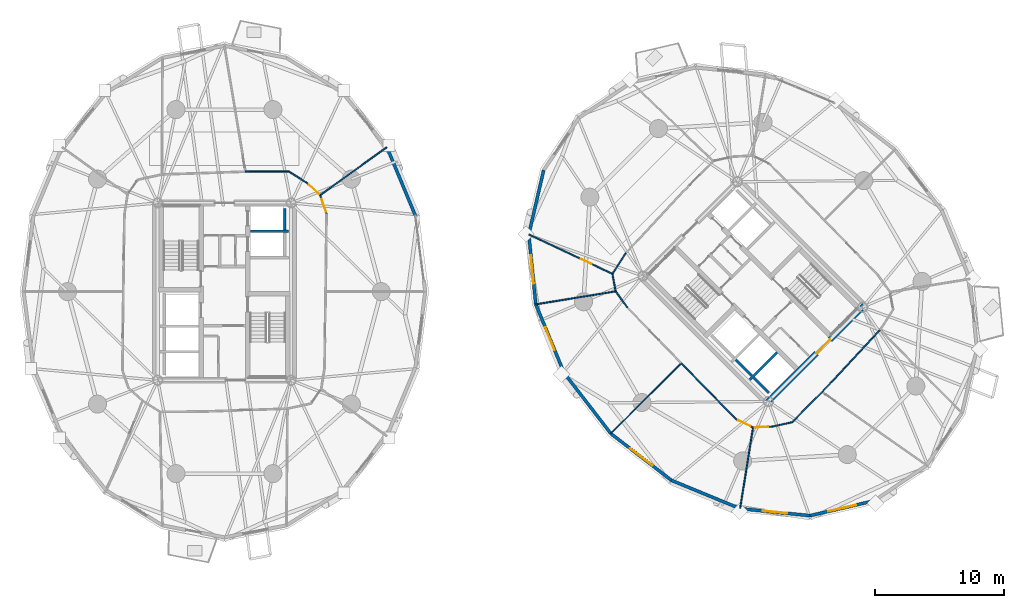
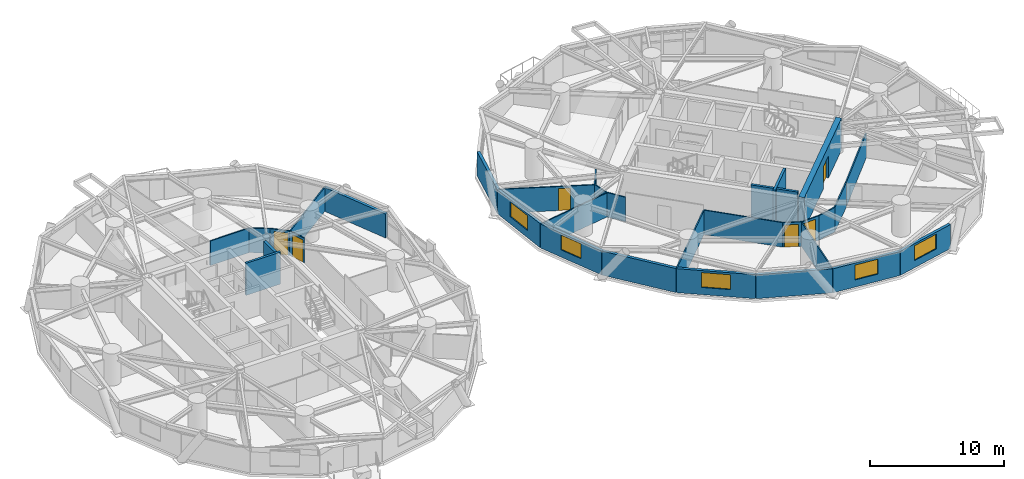
# One storey, part 12 of 18: 33 walls, 6 doors, 5 windows, 11 openings.
"""IFC4 building model written with IfcOpenShell, lengths in metres."""

from ifc_helpers import new_model, si_unit, direction, frame, frame_2d, origin, place, context, subcontext, project, spatial, rectangle, extrude, source, transform, mapped, material, layer, layer_set, type_object, element, fill, save


model = new_model("IFC4")

# Units and contexts
model_context = context("Model", 3, precision=1e-05, world=origin(), true_north=direction((0.0, 1.0)))
body_context = subcontext(model_context, "Body", "Model", "MODEL_VIEW")
ifc_project = project(units=[si_unit("LENGTHUNIT", "METRE"), si_unit("AREAUNIT", "SQUARE_METRE"), si_unit("VOLUMEUNIT", "CUBIC_METRE"), si_unit("PLANEANGLEUNIT", "RADIAN"), si_unit("MASSUNIT", "GRAM", prefix="KILO")], contexts=[model_context])

# Site, building, storey
site_placement = place(None, origin())
site = spatial("IfcSite", under=ifc_project, at=site_placement, CompositionType="ELEMENT")
building_placement = place(site_placement, origin())
building = spatial("IfcBuilding", under=site, at=building_placement, Name="Cununo Teusaquillo Station Towers", CompositionType="ELEMENT")
storey_placement = place(building_placement, frame((0.0, 0.0, 102.159912109375)))
storey = spatial("IfcBuildingStorey", under=building, at=storey_placement, Name="L32", CompositionType="ELEMENT", Elevation=102.159912109375)

# Walls
ifc_material_1 = material(Name="Concrete C50/60", Category="concrete")
ifc_layer_1 = layer(ifc_material_1, 0.199951171875)
ifc_layer_set_1 = layer_set([ifc_layer_1], Name="Concrete C50/60")
wall_type_1 = type_object("IfcWallType", Name="WL-CORE-200", PredefinedType="SHEAR", material=ifc_layer_set_1)
wall_1_placement = place(storey_placement, frame((18.510009765625, 29.175048828125, 0.0), z_axis=(0.0, 0.0, 1.0), x_axis=(1.0, 0.0, 0.0)))
element("IfcWall", 1, at=wall_1_placement, inside=storey, type_object=wall_type_1, Name="L32 Tower A Low-Rise Lift Hoistway Divider Shear Wall", PredefinedType="SHEAR", context=body_context, shape_type="SweptSolid", body=[
    extrude(rectangle(XDim=2.969970703125, YDim=0.199951171875, at=frame_2d((1.48486328125, 0.0))), origin(), (0.0, 0.0, 1.0), 2.91015625),
])
wall_2_placement = place(storey_placement, frame((21.179931640625, 29.294921875, 0.0), z_axis=(0.0, 0.0, 1.0), x_axis=(0.0, 1.0, 0.0)))
element("IfcWall", 2, at=wall_2_placement, inside=storey, type_object=wall_type_1, Name="L32 Tower A Low-Rise Lift 2 Shaft Rear Shear Wall", PredefinedType="SHEAR", context=body_context, shape_type="SweptSolid", body=[
    extrude(rectangle(XDim=1.635009765625, YDim=0.199951171875, at=frame_2d((0.8173828125, 0.0))), origin(), (0.0, 0.0, 1.0), 2.91015625),
])
wall_3_placement = place(storey_placement, frame((57.2841796875, 17.6728515625, 0.0), z_axis=(0.0, 0.0, 1.0), x_axis=(0.707147878904, 0.70706568108, 0.0)))
element("IfcWall", 3, at=wall_3_placement, inside=storey, type_object=wall_type_1, Name="L32 Tower B High-Rise Lift Hoistway Divider Shear Wall", PredefinedType="SHEAR", context=body_context, shape_type="SweptSolid", body=[
    extrude(rectangle(XDim=2.97021484375, YDim=0.199951171875, at=frame_2d((1.485107421875, 0.0))), origin(), (0.0, 0.0, 1.0), 2.91015625),
])
wall_4_placement = place(storey_placement, frame((57.41162109375, 17.969970703125, 0.0), z_axis=(0.0, 0.0, 1.0), x_axis=(-0.707106781187, 0.707106781187, 0.0)))
element("IfcWall", 4, at=wall_4_placement, inside=storey, type_object=wall_type_1, Name="L32 Tower B High-Rise Lift 2 Shaft Rear Shear Wall", PredefinedType="SHEAR", context=body_context, shape_type="SweptSolid", body=[
    extrude(rectangle(XDim=1.73486328125, YDim=0.199951171875, at=frame_2d((0.867431640625, 0.0))), origin(), (0.0, 0.0, 1.0), 2.91015625),
])
wall_5_placement = place(storey_placement, frame((58.7373046875, 16.64404296875, 0.0), z_axis=(0.0, 0.0, 1.0), x_axis=(-0.707032117043, 0.707181437447, 0.0)))
element("IfcWall", 5, at=wall_5_placement, inside=storey, type_object=wall_type_1, Name="L32 Tower B High-Rise Lift 1 Shaft Rear Shear Wall", PredefinedType="SHEAR", context=body_context, shape_type="SweptSolid", body=[
    extrude(rectangle(XDim=1.635009765625, YDim=0.199951171875, at=frame_2d((0.8173828125, 0.0))), origin(), (0.0, 0.0, 1.0), 2.91015625),
])

# Wall, opening, door
ifc_material_2 = material(Name="Concrete C60/75", Category="concrete")
ifc_layer_2 = layer(ifc_material_2, 0.449951171875)
ifc_layer_set_2 = layer_set([ifc_layer_2], Name="Concrete C60/75")
wall_type_2 = type_object("IfcWallType", Name="WL-CORE-450", PredefinedType="SHEAR", material=ifc_layer_set_2)
wall_6_placement = place(storey_placement, frame((58.578369140625, 15.855712890625, 0.0), z_axis=(0.0, 0.0, 1.0), x_axis=(0.707106781187, 0.707106781187, 0.0)))
wall_6 = element("IfcWall", 6, at=wall_6_placement, inside=storey, type_object=wall_type_2, Name="L32 Tower B Core Shear Wall S", PredefinedType="SHEAR", context=body_context, shape_type="SweptSolid", body=[
    extrude(rectangle(XDim=10.69970703125, YDim=0.449951171875, at=frame_2d((5.349853515625, 0.0))), origin(), (0.0, 0.0, 1.0), 2.91015625),
])
shared_shape_1 = source(origin(), body_context, "Body", "SweptSolid", [
    extrude(rectangle(XDim=1.5, YDim=2.02001953125, at=frame_2d((0.75, 1.010009765625))), frame((0.0, 0.23486328125, 0.0), z_axis=(0.0, -1.0, 0.0), x_axis=(1.0, 0.0, 0.0)), (0.0, 0.0, 1.0), 0.469970703125),
])
opening_1_placement = place(wall_6_placement, frame((5.449951171875, 0.0, 0.0)))
opening_1 = element("IfcOpeningElement", 7, at=opening_1_placement, cuts=wall_6, Name="Opening D-LB1", PredefinedType="OPENING", context=body_context, shape_type="MappedRepresentation", body=[
    mapped(shared_shape_1, transform((0.0, 0.0, 0.0), x_axis=(1.0, 0.0, 0.0), y_axis=(0.0, 1.0, 0.0), z_axis=(0.0, 0.0, 1.0), scale=1.0)),
])
ifc_material_3 = material(Name="Galvanised fire-rated hollow steel door assembly", Category="steel")
door_type_1 = type_object("IfcDoorType", Name="DR-LOBBY-1500", OperationType="DOUBLE_DOOR_SINGLE_SWING", PredefinedType="DOOR", material=ifc_material_3)
shared_shape_2 = source(origin(), body_context, "Body", "SweptSolid", [
    extrude(rectangle(XDim=1.5, YDim=2.02001953125, at=frame_2d((0.75, 1.010009765625))), frame((0.0, 0.02490234375, 0.0), z_axis=(0.0, -1.0, 0.0), x_axis=(1.0, 0.0, 0.0)), (0.0, 0.0, 1.0), 0.050048828125),
])
door_1_placement = place(opening_1_placement, origin())
door_1 = element("IfcDoor", 8, at=door_1_placement, inside=storey, type_object=door_type_1, Name="L32 Tower B South Core Lift Lobby Door", OperationType="DOUBLE_DOOR_SINGLE_SWING", OverallHeight=2.02001953125, OverallWidth=1.5, PredefinedType="DOOR", context=body_context, shape_type="MappedRepresentation", body=[
    mapped(shared_shape_2, transform((0.0, 0.0, 0.0), x_axis=(1.0, 0.0, 0.0), y_axis=(0.0, 1.0, 0.0), z_axis=(0.0, 0.0, 1.0), scale=1.0)),
])
fill(opening_1, door_1)

# Walls
ifc_material_4 = material(Name="Precast concrete C40/50", Category="concrete")
ifc_layer_3 = layer(ifc_material_4, 0.239990234375)
ifc_layer_set_3 = layer_set([ifc_layer_3], Name="Precast concrete C40/50")
wall_type_3 = type_object("IfcWallType", Name="WL-EXT-240", PredefinedType="SOLIDWALL", material=ifc_layer_set_3)
wall_7_placement = place(storey_placement, frame((29.105224609375, 35.708984375, 0.0), z_axis=(0.0, 0.0, 1.0), x_axis=(0.384344417632, -0.923189779317, 0.0)))
element("IfcWall", 9, at=wall_7_placement, inside=storey, type_object=wall_type_3, Name="L32 Tower A Exterior Facade Wall C01", PredefinedType="SOLIDWALL", context=body_context, shape_type="SweptSolid", body=[
    extrude(rectangle(XDim=5.75830078125, YDim=0.239990234375, at=frame_2d((2.879150390625, 0.0))), origin(), (0.0, 0.0, 1.0), 2.17919921875),
])
wall_8_placement = place(storey_placement, frame((40.114990234375, 28.933349609375, 0.0), z_axis=(0.0, 0.0, 1.0), x_axis=(0.225834725257, 0.974165631126, 0.0)))
element("IfcWall", 10, at=wall_8_placement, inside=storey, type_object=wall_type_3, Name="L32 Tower B Exterior Facade Wall C06", PredefinedType="SOLIDWALL", context=body_context, shape_type="SweptSolid", body=[
    extrude(rectangle(XDim=5.118896484375, YDim=0.239990234375, at=frame_2d((2.5595703125, 0.0))), origin(), (0.0, 0.0, 1.0), 2.17919921875),
])

# Wall, opening, window
wall_9_placement = place(storey_placement, frame((40.66064453125, 23.5126953125, 0.0), z_axis=(0.0, 0.0, 1.0), x_axis=(-0.10015591906, 0.994971754311, 0.0)))
wall_9 = element("IfcWall", 11, at=wall_9_placement, inside=storey, type_object=wall_type_3, Name="L32 Tower B Exterior Facade Wall C07", PredefinedType="SOLIDWALL", context=body_context, shape_type="SweptSolid", body=[
    extrude(rectangle(XDim=5.447998046875, YDim=0.239990234375, at=frame_2d((2.72412109375, 0.0))), origin(), (0.0, 0.0, 1.0), 2.17919921875),
])
shared_shape_3 = source(origin(), body_context, "Body", "SweptSolid", [
    extrude(rectangle(XDim=2.199951171875, YDim=1.35009765625, at=frame_2d((1.10009765625, 0.675048828125))), frame((0.0, 0.1298828125, 0.0), z_axis=(0.0, -1.0, 0.0), x_axis=(1.0, 0.0, 0.0)), (0.0, 0.0, 1.0), 0.260009765625),
])
opening_2_placement = place(wall_9_placement, frame((1.6240234375, 0.0, 0.64990234375)))
opening_2 = element("IfcOpeningElement", 12, at=opening_2_placement, cuts=wall_9, Name="Opening WN-01", PredefinedType="OPENING", context=body_context, shape_type="MappedRepresentation", body=[
    mapped(shared_shape_3, transform((0.0, 0.0, 0.0), x_axis=(1.0, 0.0, 0.0), y_axis=(0.0, 1.0, 0.0), z_axis=(0.0, 0.0, 1.0), scale=1.0)),
])
ifc_material_5 = material(Name="Ceramic-fritted dark low-E double glazing", Category="glass")
window_type_1 = type_object("IfcWindowType", Name="WIN-FRIT-2200", PartitioningType="DOUBLE_PANEL_VERTICAL", PredefinedType="WINDOW", material=ifc_material_5)
shared_shape_4 = source(origin(), body_context, "Body", "SweptSolid", [
    extrude(rectangle(XDim=2.199951171875, YDim=1.35009765625, at=frame_2d((1.10009765625, 0.675048828125))), frame((0.0, 0.030029296875, 0.0), z_axis=(0.0, -1.0, 0.0), x_axis=(1.0, 0.0, 0.0)), (0.0, 0.0, 1.0), 0.06005859375),
])
window_1_placement = place(opening_2_placement, origin())
window_1 = element("IfcWindow", 13, at=window_1_placement, inside=storey, type_object=window_type_1, Name="L32 Tower B Facade Window C07", OverallHeight=1.35009765625, OverallWidth=2.199951171875, PartitioningType="DOUBLE_PANEL_VERTICAL", PredefinedType="WINDOW", context=body_context, shape_type="MappedRepresentation", body=[
    mapped(shared_shape_4, transform((0.0, 0.0, 0.0), x_axis=(1.0, 0.0, 0.0), y_axis=(0.0, 1.0, 0.0), z_axis=(0.0, 0.0, 1.0), scale=1.0)),
])
fill(opening_2, window_1)

wall_10_placement = place(storey_placement, frame((42.854736328125, 18.188720703125, 0.0), z_axis=(0.0, 0.0, 1.0), x_axis=(-0.381027003055, 0.924563909604, 0.0)))
wall_10 = element("IfcWall", 14, at=wall_10_placement, inside=storey, type_object=wall_type_3, Name="L32 Tower B Exterior Facade Wall C08", PredefinedType="SOLIDWALL", context=body_context, shape_type="SweptSolid", body=[
    extrude(rectangle(XDim=5.75830078125, YDim=0.239990234375, at=frame_2d((2.879150390625, 0.0))), origin(), (0.0, 0.0, 1.0), 2.17919921875),
])
shared_shape_5 = source(origin(), body_context, "Body", "SweptSolid", [
    extrude(rectangle(XDim=1.89990234375, YDim=1.35009765625, at=frame_2d((0.949951171875, 0.675048828125))), frame((0.0, 0.1298828125, 0.0), z_axis=(0.0, -1.0, 0.0), x_axis=(1.0, 0.0, 0.0)), (0.0, 0.0, 1.0), 0.260009765625),
])
opening_3_placement = place(wall_10_placement, frame((1.928955078125, 0.0, 0.64990234375)))
opening_3 = element("IfcOpeningElement", 15, at=opening_3_placement, cuts=wall_10, Name="Opening WN-02", PredefinedType="OPENING", context=body_context, shape_type="MappedRepresentation", body=[
    mapped(shared_shape_5, transform((0.0, 0.0, 0.0), x_axis=(1.0, 0.0, 0.0), y_axis=(0.0, 1.0, 0.0), z_axis=(0.0, 0.0, 1.0), scale=1.0)),
])
ifc_material_6 = material(Name="Operable acoustic tinted low-E double glazing", Category="glass")
window_type_2 = type_object("IfcWindowType", Name="WIN-OPER-1900", PartitioningType="DOUBLE_PANEL_VERTICAL", PredefinedType="WINDOW", material=ifc_material_6)
shared_shape_6 = source(origin(), body_context, "Body", "SweptSolid", [
    extrude(rectangle(XDim=1.89990234375, YDim=1.35009765625, at=frame_2d((0.949951171875, 0.675048828125))), frame((0.0, 0.030029296875, 0.0), z_axis=(0.0, -1.0, 0.0), x_axis=(1.0, 0.0, 0.0)), (0.0, 0.0, 1.0), 0.06005859375),
])
window_2_placement = place(opening_3_placement, origin())
window_2 = element("IfcWindow", 16, at=window_2_placement, inside=storey, type_object=window_type_2, Name="L32 Tower B Facade Window C08", OverallHeight=1.35009765625, OverallWidth=1.89990234375, PartitioningType="DOUBLE_PANEL_VERTICAL", PredefinedType="WINDOW", context=body_context, shape_type="MappedRepresentation", body=[
    mapped(shared_shape_6, transform((0.0, 0.0, 0.0), x_axis=(1.0, 0.0, 0.0), y_axis=(0.0, 1.0, 0.0), z_axis=(0.0, 0.0, 1.0), scale=1.0)),
])
fill(opening_3, window_2)

# Wall
wall_11_placement = place(storey_placement, frame((46.482666015625, 13.482666015625, 0.0), z_axis=(0.0, 0.0, 1.0), x_axis=(-0.61054437102, 0.791982052206, 0.0)))
element("IfcWall", 17, at=wall_11_placement, inside=storey, type_object=wall_type_3, Name="L32 Tower B Exterior Facade Wall C09", PredefinedType="SOLIDWALL", context=body_context, shape_type="SweptSolid", body=[
    extrude(rectangle(XDim=5.942138671875, YDim=0.239990234375, at=frame_2d((2.97119140625, 0.0))), origin(), (0.0, 0.0, 1.0), 2.17919921875),
])

# Wall, opening, window
wall_12_placement = place(storey_placement, frame((51.188720703125, 9.854736328125, 0.0), z_axis=(0.0, 0.0, 1.0), x_axis=(-0.791982052206, 0.61054437102, 0.0)))
wall_12 = element("IfcWall", 18, at=wall_12_placement, inside=storey, type_object=wall_type_3, Name="L32 Tower B Exterior Facade Wall C10", PredefinedType="SOLIDWALL", context=body_context, shape_type="SweptSolid", body=[
    extrude(rectangle(XDim=5.942138671875, YDim=0.239990234375, at=frame_2d((2.97119140625, 0.0))), origin(), (0.0, 0.0, 1.0), 2.17919921875),
])
opening_4_placement = place(wall_12_placement, frame((1.87109375, 0.0, 0.64990234375)))
opening_4 = element("IfcOpeningElement", 19, at=opening_4_placement, cuts=wall_12, Name="Opening WN-01", PredefinedType="OPENING", context=body_context, shape_type="MappedRepresentation", body=[
    mapped(shared_shape_3, transform((0.0, 0.0, 0.0), x_axis=(1.0, 0.0, 0.0), y_axis=(0.0, 1.0, 0.0), z_axis=(0.0, 0.0, 1.0), scale=1.0)),
])
window_3_placement = place(opening_4_placement, origin())
window_3 = element("IfcWindow", 20, at=window_3_placement, inside=storey, type_object=window_type_1, Name="L32 Tower B Facade Window C10", OverallHeight=1.35009765625, OverallWidth=2.199951171875, PartitioningType="DOUBLE_PANEL_VERTICAL", PredefinedType="WINDOW", context=body_context, shape_type="MappedRepresentation", body=[
    mapped(shared_shape_4, transform((0.0, 0.0, 0.0), x_axis=(1.0, 0.0, 0.0), y_axis=(0.0, 1.0, 0.0), z_axis=(0.0, 0.0, 1.0), scale=1.0)),
])
fill(opening_4, window_3)

# Wall
wall_13_placement = place(storey_placement, frame((56.5126953125, 7.66064453125, 0.0), z_axis=(0.0, 0.0, 1.0), x_axis=(-0.924563909604, 0.381027003055, 0.0)))
element("IfcWall", 21, at=wall_13_placement, inside=storey, type_object=wall_type_3, Name="L32 Tower B Exterior Facade Wall C11", PredefinedType="SOLIDWALL", context=body_context, shape_type="SweptSolid", body=[
    extrude(rectangle(XDim=5.75830078125, YDim=0.239990234375, at=frame_2d((2.879150390625, 0.0))), origin(), (0.0, 0.0, 1.0), 2.17919921875),
])

# Wall, opening, window
wall_14_placement = place(storey_placement, frame((61.933349609375, 7.114990234375, 0.0), z_axis=(0.0, 0.0, 1.0), x_axis=(-0.994971754311, 0.10015591906, 0.0)))
wall_14 = element("IfcWall", 22, at=wall_14_placement, inside=storey, type_object=wall_type_3, Name="L32 Tower B Exterior Facade Wall C12", PredefinedType="SOLIDWALL", context=body_context, shape_type="SweptSolid", body=[
    extrude(rectangle(XDim=5.447998046875, YDim=0.239990234375, at=frame_2d((2.72412109375, 0.0))), origin(), (0.0, 0.0, 1.0), 2.17919921875),
])
opening_5_placement = place(wall_14_placement, frame((1.77392578125, 0.0, 0.64990234375)))
opening_5 = element("IfcOpeningElement", 23, at=opening_5_placement, cuts=wall_14, Name="Opening WN-02", PredefinedType="OPENING", context=body_context, shape_type="MappedRepresentation", body=[
    mapped(shared_shape_5, transform((0.0, 0.0, 0.0), x_axis=(1.0, 0.0, 0.0), y_axis=(0.0, 1.0, 0.0), z_axis=(0.0, 0.0, 1.0), scale=1.0)),
])
window_4_placement = place(opening_5_placement, origin())
window_4 = element("IfcWindow", 24, at=window_4_placement, inside=storey, type_object=window_type_2, Name="L32 Tower B Facade Window C12", OverallHeight=1.35009765625, OverallWidth=1.89990234375, PartitioningType="DOUBLE_PANEL_VERTICAL", PredefinedType="WINDOW", context=body_context, shape_type="MappedRepresentation", body=[
    mapped(shared_shape_6, transform((0.0, 0.0, 0.0), x_axis=(1.0, 0.0, 0.0), y_axis=(0.0, 1.0, 0.0), z_axis=(0.0, 0.0, 1.0), scale=1.0)),
])
fill(opening_5, window_4)

wall_15_placement = place(storey_placement, frame((66.919921875, 8.27099609375, 0.0), z_axis=(0.0, 0.0, 1.0), x_axis=(-0.974165631126, -0.225834725257, 0.0)))
wall_15 = element("IfcWall", 25, at=wall_15_placement, inside=storey, type_object=wall_type_3, Name="L32 Tower B Exterior Facade Wall C13", PredefinedType="SOLIDWALL", context=body_context, shape_type="SweptSolid", body=[
    extrude(rectangle(XDim=5.118896484375, YDim=0.239990234375, at=frame_2d((2.5595703125, 0.0))), origin(), (0.0, 0.0, 1.0), 2.17919921875),
])
opening_6_placement = place(wall_15_placement, frame((1.458984375, 0.0, 0.64990234375)))
opening_6 = element("IfcOpeningElement", 26, at=opening_6_placement, cuts=wall_15, Name="Opening WN-01", PredefinedType="OPENING", context=body_context, shape_type="MappedRepresentation", body=[
    mapped(shared_shape_3, transform((0.0, 0.0, 0.0), x_axis=(1.0, 0.0, 0.0), y_axis=(0.0, 1.0, 0.0), z_axis=(0.0, 0.0, 1.0), scale=1.0)),
])
window_5_placement = place(opening_6_placement, origin())
window_5 = element("IfcWindow", 27, at=window_5_placement, inside=storey, type_object=window_type_1, Name="L32 Tower B Facade Window C13", OverallHeight=1.35009765625, OverallWidth=2.199951171875, PartitioningType="DOUBLE_PANEL_VERTICAL", PredefinedType="WINDOW", context=body_context, shape_type="MappedRepresentation", body=[
    mapped(shared_shape_4, transform((0.0, 0.0, 0.0), x_axis=(1.0, 0.0, 0.0), y_axis=(0.0, 1.0, 0.0), z_axis=(0.0, 0.0, 1.0), scale=1.0)),
])
fill(opening_6, window_5)

# Wall, opening, door
ifc_material_7 = material(Name="Fire-rated gypsum plasterboard partition assembly", Category="gypsum")
ifc_layer_4 = layer(ifc_material_7, 0.10009765625)
ifc_layer_set_4 = layer_set([ifc_layer_4], Name="Fire-rated gypsum plasterboard partition assembly")
wall_type_4 = type_object("IfcWallType", Name="WL-PART-100", PredefinedType="MOVABLE", material=ifc_layer_set_4)
wall_16_placement = place(storey_placement, frame((24.420166015625, 30.581787109375, 0.0), z_axis=(0.0, 0.0, 1.0), x_axis=(-0.327437665675, 0.944872782494, 0.0)))
wall_16 = element("IfcWall", 28, at=wall_16_placement, inside=storey, type_object=wall_type_4, Name="L32 Tower A Corridor Ring Wall C01", PredefinedType="MOVABLE", context=body_context, shape_type="SweptSolid", body=[
    extrude(rectangle(XDim=1.48681640625, YDim=0.10009765625, at=frame_2d((0.743408203125, 0.0))), origin(), (0.0, 0.0, 1.0), 2.22509765625),
])
shared_shape_7 = source(origin(), body_context, "Body", "SweptSolid", [
    extrude(rectangle(XDim=1.050048828125, YDim=2.014892578125, at=frame_2d((0.52490234375, 1.00732421875))), frame((0.0, 0.06005859375, 0.0), z_axis=(0.0, -1.0, 0.0), x_axis=(1.0, 0.0, 0.0)), (0.0, 0.0, 1.0), 0.1201171875),
])
opening_7_placement = place(wall_16_placement, frame((0.1201171875, 0.0, 0.0)))
opening_7 = element("IfcOpeningElement", 29, at=opening_7_placement, cuts=wall_16, Name="Opening D-SU1", PredefinedType="OPENING", context=body_context, shape_type="MappedRepresentation", body=[
    mapped(shared_shape_7, transform((0.0, 0.0, 0.0), x_axis=(1.0, 0.0, 0.0), y_axis=(0.0, 1.0, 0.0), z_axis=(0.0, 0.0, 1.0), scale=1.0)),
])
ifc_material_8 = material(Name="Acoustic solid-core hardwood leaf assembly", Category="wood")
door_type_2 = type_object("IfcDoorType", Name="DR-SUITE-1050", OperationType="NOTDEFINED", PredefinedType="DOOR", material=ifc_material_8)
shared_shape_8 = source(origin(), body_context, "Body", "SweptSolid", [
    extrude(rectangle(XDim=1.050048828125, YDim=2.014892578125, at=frame_2d((0.52490234375, 1.00732421875))), frame((0.0, 0.02490234375, 0.0), z_axis=(0.0, -1.0, 0.0), x_axis=(1.0, 0.0, 0.0)), (0.0, 0.0, 1.0), 0.050048828125),
])
door_2_placement = place(opening_7_placement, origin())
door_2 = element("IfcDoor", 30, at=door_2_placement, inside=storey, type_object=door_type_2, Name="L32 Tower A Equities & Carbon Desk Trading Hall Entrance Door", OperationType="SINGLE_SWING_LEFT", OverallHeight=2.014892578125, OverallWidth=1.050048828125, PredefinedType="DOOR", context=body_context, shape_type="MappedRepresentation", body=[
    mapped(shared_shape_8, transform((0.0, 0.0, 0.0), x_axis=(1.0, 0.0, 0.0), y_axis=(0.0, 1.0, 0.0), z_axis=(0.0, 0.0, 1.0), scale=1.0)),
])
fill(opening_7, door_2)

wall_17_placement = place(storey_placement, frame((23.933349609375, 31.986572265625, 0.0), z_axis=(0.0, 0.0, 1.0), x_axis=(-0.742471347264, 0.669877823556, 0.0)))
wall_17 = element("IfcWall", 31, at=wall_17_placement, inside=storey, type_object=wall_type_4, Name="L32 Tower A Corridor Ring Wall C02", PredefinedType="MOVABLE", context=body_context, shape_type="SweptSolid", body=[
    extrude(rectangle(XDim=1.476318359375, YDim=0.10009765625, at=frame_2d((0.73828125, 0.0))), origin(), (0.0, 0.0, 1.0), 2.22509765625),
])
opening_8_placement = place(wall_17_placement, frame((0.1201171875, 0.0, 0.0)))
opening_8 = element("IfcOpeningElement", 32, at=opening_8_placement, cuts=wall_17, Name="Opening D-SU1", PredefinedType="OPENING", context=body_context, shape_type="MappedRepresentation", body=[
    mapped(shared_shape_7, transform((0.0, 0.0, 0.0), x_axis=(1.0, 0.0, 0.0), y_axis=(0.0, 1.0, 0.0), z_axis=(0.0, 0.0, 1.0), scale=1.0)),
])
door_3_placement = place(opening_8_placement, origin())
door_3 = element("IfcDoor", 33, at=door_3_placement, inside=storey, type_object=door_type_2, Name="L32 Tower A Quantitative Risk Analytics Practice Entrance Door", OperationType="SINGLE_SWING_RIGHT", OverallHeight=2.014892578125, OverallWidth=1.050048828125, PredefinedType="DOOR", context=body_context, shape_type="MappedRepresentation", body=[
    mapped(shared_shape_8, transform((0.0, 0.0, 0.0), x_axis=(1.0, 0.0, 0.0), y_axis=(0.0, 1.0, 0.0), z_axis=(0.0, 0.0, 1.0), scale=1.0)),
])
fill(opening_8, door_3)

# Walls
wall_18_placement = place(storey_placement, frame((22.837158203125, 32.9755859375, 0.0), z_axis=(0.0, 0.0, 1.0), x_axis=(-0.844976677144, 0.534803155454, 0.0)))
element("IfcWall", 34, at=wall_18_placement, inside=storey, type_object=wall_type_4, Name="L32 Tower A Corridor Ring Wall C03", PredefinedType="MOVABLE", context=body_context, shape_type="SweptSolid", body=[
    extrude(rectangle(XDim=1.5869140625, YDim=0.10009765625, at=frame_2d((0.79345703125, 0.0))), origin(), (0.0, 0.0, 1.0), 2.22509765625),
])
wall_19_placement = place(storey_placement, frame((21.496337890625, 33.82421875, 0.0), z_axis=(0.0, 0.0, 1.0), x_axis=(-0.999990516754, -0.004355043261, 0.0)))
element("IfcWall", 35, at=wall_19_placement, inside=storey, type_object=wall_type_4, Name="L32 Tower A Corridor Ring Wall C04", PredefinedType="MOVABLE", context=body_context, shape_type="SweptSolid", body=[
    extrude(rectangle(XDim=3.363525390625, YDim=0.10009765625, at=frame_2d((1.681640625, 0.0))), origin(), (0.0, 0.0, 1.0), 2.22509765625),
])
wall_20_placement = place(storey_placement, frame((23.933349609375, 31.986572265625, 0.0), z_axis=(0.0, 0.0, 1.0), x_axis=(0.811642946178, 0.584153856377, 0.0)))
element("IfcWall", 36, at=wall_20_placement, inside=storey, type_object=wall_type_4, Name="L32 Tower A Radial Suite Partition R02", PredefinedType="MOVABLE", context=body_context, shape_type="SweptSolid", body=[
    extrude(rectangle(XDim=6.352294921875, YDim=0.10009765625, at=frame_2d((3.17626953125, 0.0))), origin(), (0.0, 0.0, 1.0), 2.17919921875),
])
wall_21_placement = place(storey_placement, frame((47.644775390625, 27.496826171875, 0.0), z_axis=(0.0, 0.0, 1.0), x_axis=(-0.540680612097, -0.841227957038, 0.0)))
element("IfcWall", 37, at=wall_21_placement, inside=storey, type_object=wall_type_4, Name="L32 Tower B Corridor Ring Wall C06", PredefinedType="MOVABLE", context=body_context, shape_type="SweptSolid", body=[
    extrude(rectangle(XDim=1.923583984375, YDim=0.10009765625, at=frame_2d((0.9619140625, 0.0))), origin(), (0.0, 0.0, 1.0), 2.22509765625),
])
wall_22_placement = place(storey_placement, frame((46.604736328125, 25.878662109375, 0.0), z_axis=(0.0, 0.0, 1.0), x_axis=(0.182019785456, -0.983294868136, 0.0)))
element("IfcWall", 38, at=wall_22_placement, inside=storey, type_object=wall_type_4, Name="L32 Tower B Corridor Ring Wall C07", PredefinedType="MOVABLE", context=body_context, shape_type="SweptSolid", body=[
    extrude(rectangle(XDim=1.38427734375, YDim=0.10009765625, at=frame_2d((0.692138671875, 0.0))), origin(), (0.0, 0.0, 1.0), 2.22509765625),
])
wall_23_placement = place(storey_placement, frame((46.856689453125, 24.517578125, 0.0), z_axis=(0.0, 0.0, 1.0), x_axis=(0.58624548148, -0.810133467674, 0.0)))
element("IfcWall", 39, at=wall_23_placement, inside=storey, type_object=wall_type_4, Name="L32 Tower B Corridor Ring Wall C08", PredefinedType="MOVABLE", context=body_context, shape_type="SweptSolid", body=[
    extrude(rectangle(XDim=1.54638671875, YDim=0.10009765625, at=frame_2d((0.773193359375, 0.0))), origin(), (0.0, 0.0, 1.0), 2.22509765625),
])
wall_24_placement = place(storey_placement, frame((51.94921875, 18.94921875, 0.0), z_axis=(0.0, 0.0, 1.0), x_axis=(0.699840807936, -0.714298847506, 0.0)))
element("IfcWall", 40, at=wall_24_placement, inside=storey, type_object=wall_type_4, Name="L32 Tower B Corridor Ring Wall C10", PredefinedType="MOVABLE", context=body_context, shape_type="SweptSolid", body=[
    extrude(rectangle(XDim=6.129638671875, YDim=0.10009765625, at=frame_2d((3.06494140625, 0.0))), origin(), (0.0, 0.0, 1.0), 2.22509765625),
])

# Wall, opening, door
wall_25_placement = place(storey_placement, frame((56.239013671875, 14.57080078125, 0.0), z_axis=(0.0, 0.0, 1.0), x_axis=(0.901549955153, -0.432675026278, 0.0)))
wall_25 = element("IfcWall", 41, at=wall_25_placement, inside=storey, type_object=wall_type_4, Name="L32 Tower B Corridor Ring Wall C11", PredefinedType="MOVABLE", context=body_context, shape_type="SweptSolid", body=[
    extrude(rectangle(XDim=1.416259765625, YDim=0.10009765625, at=frame_2d((0.7080078125, 0.0))), origin(), (0.0, 0.0, 1.0), 2.22509765625),
])
opening_9_placement = place(wall_25_placement, frame((0.1201171875, 0.0, 0.0)))
opening_9 = element("IfcOpeningElement", 42, at=opening_9_placement, cuts=wall_25, Name="Opening D-SU1", PredefinedType="OPENING", context=body_context, shape_type="MappedRepresentation", body=[
    mapped(shared_shape_7, transform((0.0, 0.0, 0.0), x_axis=(1.0, 0.0, 0.0), y_axis=(0.0, 1.0, 0.0), z_axis=(0.0, 0.0, 1.0), scale=1.0)),
])
door_4_placement = place(opening_9_placement, origin())
door_4 = element("IfcDoor", 43, at=door_4_placement, inside=storey, type_object=door_type_2, Name="L32 Tower B Derivatives Structuring Office Entrance Door", OperationType="SINGLE_SWING_RIGHT", OverallHeight=2.014892578125, OverallWidth=1.050048828125, PredefinedType="DOOR", context=body_context, shape_type="MappedRepresentation", body=[
    mapped(shared_shape_8, transform((0.0, 0.0, 0.0), x_axis=(1.0, 0.0, 0.0), y_axis=(0.0, 1.0, 0.0), z_axis=(0.0, 0.0, 1.0), scale=1.0)),
])
fill(opening_9, door_4)

wall_26_placement = place(storey_placement, frame((57.515869140625, 13.9580078125, 0.0), z_axis=(0.0, 0.0, 1.0), x_axis=(0.999005711776, 0.044582371387, 0.0)))
wall_26 = element("IfcWall", 44, at=wall_26_placement, inside=storey, type_object=wall_type_4, Name="L32 Tower B Corridor Ring Wall C12", PredefinedType="MOVABLE", context=body_context, shape_type="SweptSolid", body=[
    extrude(rectangle(XDim=1.489501953125, YDim=0.10009765625, at=frame_2d((0.74462890625, 0.0))), origin(), (0.0, 0.0, 1.0), 2.22509765625),
])
opening_10_placement = place(wall_26_placement, frame((0.1201171875, 0.0, 0.0)))
opening_10 = element("IfcOpeningElement", 45, at=opening_10_placement, cuts=wall_26, Name="Opening D-SU1", PredefinedType="OPENING", context=body_context, shape_type="MappedRepresentation", body=[
    mapped(shared_shape_7, transform((0.0, 0.0, 0.0), x_axis=(1.0, 0.0, 0.0), y_axis=(0.0, 1.0, 0.0), z_axis=(0.0, 0.0, 1.0), scale=1.0)),
])
door_5_placement = place(opening_10_placement, origin())
door_5 = element("IfcDoor", 46, at=door_5_placement, inside=storey, type_object=door_type_2, Name="L32 Tower B Algorithmic Backtesting Lab Entrance Door", OperationType="SINGLE_SWING_LEFT", OverallHeight=2.014892578125, OverallWidth=1.050048828125, PredefinedType="DOOR", context=body_context, shape_type="MappedRepresentation", body=[
    mapped(shared_shape_8, transform((0.0, 0.0, 0.0), x_axis=(1.0, 0.0, 0.0), y_axis=(0.0, 1.0, 0.0), z_axis=(0.0, 0.0, 1.0), scale=1.0)),
])
fill(opening_10, door_5)

# Walls
wall_27_placement = place(storey_placement, frame((59.00390625, 14.0244140625, 0.0), z_axis=(0.0, 0.0, 1.0), x_axis=(0.976436847881, 0.215803341262, 0.0)))
element("IfcWall", 47, at=wall_27_placement, inside=storey, type_object=wall_type_4, Name="L32 Tower B Corridor Ring Wall C13", PredefinedType="MOVABLE", context=body_context, shape_type="SweptSolid", body=[
    extrude(rectangle(XDim=1.582763671875, YDim=0.10009765625, at=frame_2d((0.79150390625, 0.0))), origin(), (0.0, 0.0, 1.0), 2.22509765625),
])
wall_28_placement = place(storey_placement, frame((60.54931640625, 14.365966796875, 0.0), z_axis=(0.0, 0.0, 1.0), x_axis=(0.704402344516, 0.709800913666, 0.0)))
element("IfcWall", 48, at=wall_28_placement, inside=storey, type_object=wall_type_4, Name="L32 Tower B Corridor Ring Wall C14", PredefinedType="MOVABLE", context=body_context, shape_type="SweptSolid", body=[
    extrude(rectangle(XDim=3.30126953125, YDim=0.10009765625, at=frame_2d((1.650634765625, 0.0))), origin(), (0.0, 0.0, 1.0), 2.22509765625),
])
wall_29_placement = place(storey_placement, frame((62.874755859375, 16.709228515625, 0.0), z_axis=(0.0, 0.0, 1.0), x_axis=(0.682290572861, 0.731081099595, 0.0)))
element("IfcWall", 49, at=wall_29_placement, inside=storey, type_object=wall_type_4, Name="L32 Tower B Corridor Ring Wall C15", PredefinedType="MOVABLE", context=body_context, shape_type="SweptSolid", body=[
    extrude(rectangle(XDim=6.60009765625, YDim=0.10009765625, at=frame_2d((3.300048828125, 0.0))), origin(), (0.0, 0.0, 1.0), 2.22509765625),
])
wall_30_placement = place(storey_placement, frame((46.856689453125, 24.517578125, 0.0), z_axis=(0.0, 0.0, 1.0), x_axis=(-0.987101644997, -0.160094792056, 0.0)))
element("IfcWall", 50, at=wall_30_placement, inside=storey, type_object=wall_type_4, Name="L32 Tower B Radial Suite Partition R04", PredefinedType="MOVABLE", context=body_context, shape_type="SweptSolid", body=[
    extrude(rectangle(XDim=6.257080078125, YDim=0.10009765625, at=frame_2d((3.12841796875, 0.0))), origin(), (0.0, 0.0, 1.0), 2.17919921875),
])
wall_31_placement = place(storey_placement, frame((51.94921875, 18.94921875, 0.0), z_axis=(0.0, 0.0, 1.0), x_axis=(-0.707106781187, -0.707106781187, 0.0)))
element("IfcWall", 51, at=wall_31_placement, inside=storey, type_object=wall_type_4, Name="L32 Tower B Radial Suite Partition R05", PredefinedType="MOVABLE", context=body_context, shape_type="SweptSolid", body=[
    extrude(rectangle(XDim=7.711181640625, YDim=0.10009765625, at=frame_2d((3.85546875, 0.0))), origin(), (0.0, 0.0, 1.0), 2.17919921875),
])
wall_32_placement = place(storey_placement, frame((57.515869140625, 13.9580078125, 0.0), z_axis=(0.0, 0.0, 1.0), x_axis=(-0.157313405462, -0.987548729158, 0.0)))
element("IfcWall", 52, at=wall_32_placement, inside=storey, type_object=wall_type_4, Name="L32 Tower B Radial Suite Partition R06", PredefinedType="MOVABLE", context=body_context, shape_type="SweptSolid", body=[
    extrude(rectangle(XDim=6.356689453125, YDim=0.10009765625, at=frame_2d((3.17822265625, 0.0))), origin(), (0.0, 0.0, 1.0), 2.17919921875),
])

# Wall, opening, door
wall_33_placement = place(storey_placement, frame((46.604736328125, 25.878662109375, 0.0), z_axis=(0.0, 0.0, 1.0), x_axis=(-0.904450971726, 0.426577589359, 0.0)))
wall_33 = element("IfcWall", 53, at=wall_33_placement, inside=storey, type_object=wall_type_4, Name="L32 Tower B Compliance & Audit Office Suite Subdividing Wall", PredefinedType="MOVABLE", context=body_context, shape_type="SweptSolid", body=[
    extrude(rectangle(XDim=7.153564453125, YDim=0.10009765625, at=frame_2d((3.57666015625, 0.0))), origin(), (0.0, 0.0, 1.0), 2.17919921875),
])
shared_shape_9 = source(origin(), body_context, "Body", "SweptSolid", [
    extrude(rectangle(XDim=0.89990234375, YDim=2.0048828125, at=frame_2d((0.449951171875, 1.00244140625))), frame((0.0, 0.06005859375, 0.0), z_axis=(0.0, -1.0, 0.0), x_axis=(1.0, 0.0, 0.0)), (0.0, 0.0, 1.0), 0.1201171875),
])
opening_11_placement = place(wall_33_placement, frame((1.800048828125, 0.0, 0.0)))
opening_11 = element("IfcOpeningElement", 54, at=opening_11_placement, cuts=wall_33, Name="Opening D-IN1", PredefinedType="OPENING", context=body_context, shape_type="MappedRepresentation", body=[
    mapped(shared_shape_9, transform((0.0, 0.0, 0.0), x_axis=(1.0, 0.0, 0.0), y_axis=(0.0, 1.0, 0.0), z_axis=(0.0, 0.0, 1.0), scale=1.0)),
])
ifc_material_9 = material(Name="Acoustic solid-core hardwood leaf assembly", Category="wood")
door_type_3 = type_object("IfcDoorType", Name="DR-INT-900", OperationType="NOTDEFINED", PredefinedType="DOOR", material=ifc_material_9)
shared_shape_10 = source(origin(), body_context, "Body", "SweptSolid", [
    extrude(rectangle(XDim=0.89990234375, YDim=2.0048828125, at=frame_2d((0.449951171875, 1.00244140625))), frame((0.0, 0.02490234375, 0.0), z_axis=(0.0, -1.0, 0.0), x_axis=(1.0, 0.0, 0.0)), (0.0, 0.0, 1.0), 0.050048828125),
])
door_6_placement = place(opening_11_placement, origin())
door_6 = element("IfcDoor", 55, at=door_6_placement, inside=storey, type_object=door_type_3, Name="L32 Tower B Compliance & Audit Office Suite Connecting Door", OperationType="SINGLE_SWING_RIGHT", OverallHeight=2.0048828125, OverallWidth=0.89990234375, PredefinedType="DOOR", context=body_context, shape_type="MappedRepresentation", body=[
    mapped(shared_shape_10, transform((0.0, 0.0, 0.0), x_axis=(1.0, 0.0, 0.0), y_axis=(0.0, 1.0, 0.0), z_axis=(0.0, 0.0, 1.0), scale=1.0)),
])
fill(opening_11, door_6)

save(model, "model.ifc")
